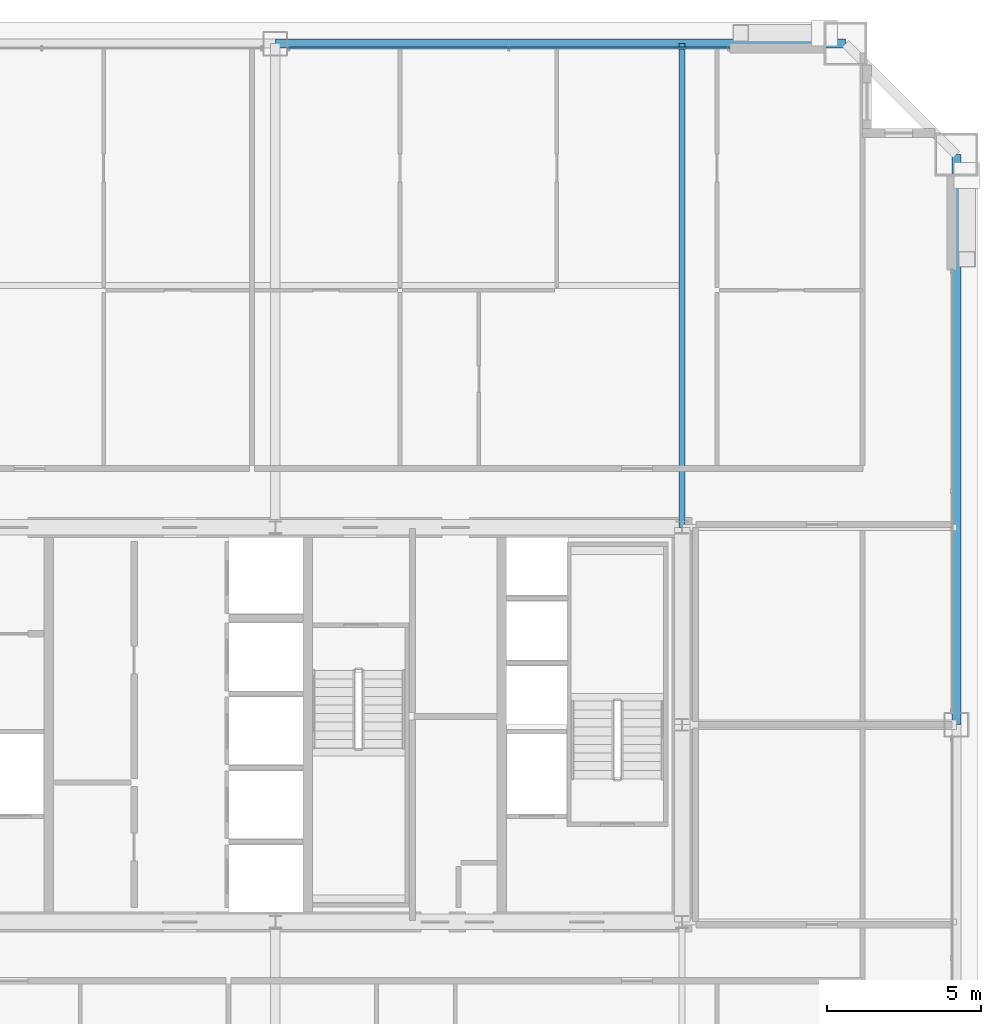
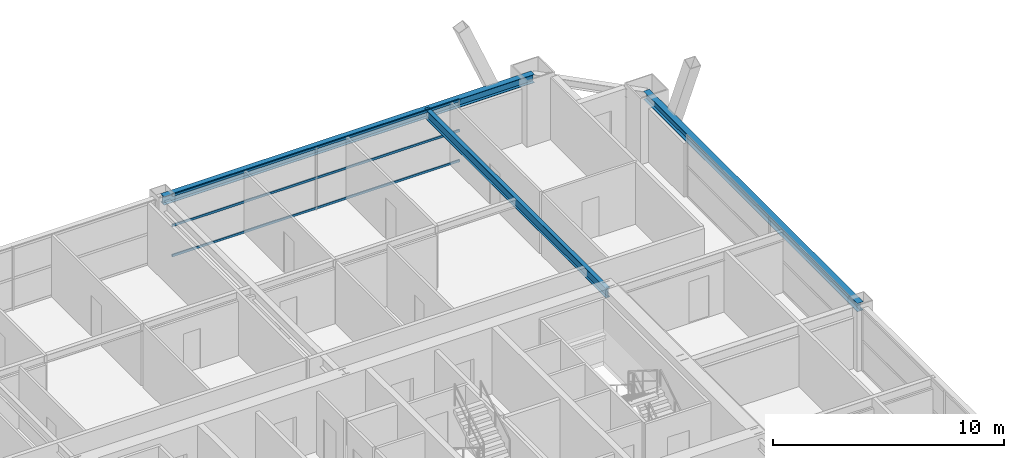
# One storey, part 37 of 45: 3 beams, 3 members, 1 element without a shape of its own.
"""IFC4 building model written with IfcOpenShell, lengths in metres."""

from ifc_helpers import new_model, si_unit, direction, frame, origin, origin_2d, place, context, subcontext, project, spatial, hollow_rectangle, i_section, extrude, source, transform, mapped, material, layer, layer_set, material_profile, profile_set, type_object, element, aggregate, save


model = new_model("IFC4")

# Units and contexts
model_context = context("Model", 3, precision=1e-05, world=origin(), true_north=direction((0.0, 1.0)))
body_context = subcontext(model_context, "Body", "Model", "MODEL_VIEW")
ifc_project = project(units=[si_unit("LENGTHUNIT", "METRE"), si_unit("AREAUNIT", "SQUARE_METRE"), si_unit("VOLUMEUNIT", "CUBIC_METRE"), si_unit("PLANEANGLEUNIT", "RADIAN"), si_unit("MASSUNIT", "GRAM", prefix="KILO"), si_unit("THERMODYNAMICTEMPERATUREUNIT", "KELVIN"), si_unit("POWERUNIT", "WATT")], contexts=[model_context])

# Site, building, storey
site_placement = place(None, origin())
site = spatial("IfcSite", under=ifc_project, at=site_placement, CompositionType="ELEMENT")
building_placement = place(site_placement, origin())
building = spatial("IfcBuilding", under=site, at=building_placement, Name="Yuzanri Waterfront Tower", CompositionType="ELEMENT")
storey_placement = place(building_placement, frame((0.0, 0.0, 212.5)))
storey = spatial("IfcBuildingStorey", under=building, at=storey_placement, Name="L56", CompositionType="ELEMENT", Elevation=212.5)

# Beams
ifc_material_1 = material(Name="Steel Q355B", Category="steel")
ifc_material_profile_1 = material_profile(ifc_material_1, i_section(OverallWidth=0.300048828125, OverallDepth=0.43994140625, WebThickness=0.010986328125, FlangeThickness=0.01806640625, at=origin_2d()), Name="HM 440x300x11x18")
ifc_profile_set_1 = profile_set([ifc_material_profile_1], Name="Steel Q355B")
beam_type_1 = type_object("IfcBeamType", Name="Perimeter Spandrel Q355B HM 440x300", PredefinedType="SPANDREL", material=ifc_profile_set_1)
shared_shape_1 = source(origin(), body_context, "Body", "SweptSolid", [
    extrude(i_section(OverallWidth=0.300048828125, OverallDepth=0.43994140625, WebThickness=0.010986328125, FlangeThickness=0.01806640625, at=origin_2d()), origin(), (0.0, 0.0, 1.0), 18.5),
])
for number, where, z_axis, x_axis, name in (
    (1, (59.10009765625, 25.800048828125, 3.06005859375), (0.0, 1.0, 0.0), (-1.0, 0.0, 0.0), "L56 Perimeter Spandrel E2-E3"),
    (2, (55.5, 47.89990234375, 3.06005859375), (-1.0, 0.0, 0.0), (0.0, -1.0, 0.0), "L56 Perimeter Spandrel N3-N2"),
):
    element("IfcBeam", number, at=place(storey_placement, frame(where, z_axis=z_axis, x_axis=x_axis)), inside=storey, type_object=beam_type_1, Name=name, PredefinedType="SPANDREL", context=body_context, shape_type="MappedRepresentation", body=[
        mapped(shared_shape_1, transform((0.0, 0.0, 0.0), scale=1.0)),
    ])
ifc_material_2 = material(Name="Steel Q355B", Category="steel")
ifc_material_profile_2 = material_profile(ifc_material_2, i_section(OverallWidth=0.199951171875, OverallDepth=0.5, WebThickness=0.010009765625, FlangeThickness=0.01611328125, at=origin_2d()), Name="HN 500x200x10x16")
ifc_profile_set_2 = profile_set([ifc_material_profile_2], Name="Steel Q355B")
beam_type_2 = type_object("IfcBeamType", Name="Secondary Floor Beam Q355B HN 500x200", PredefinedType="BEAM", material=ifc_profile_set_2)
shared_shape_2 = source(origin(), body_context, "Body", "SweptSolid", [
    extrude(i_section(OverallWidth=0.199951171875, OverallDepth=0.5, WebThickness=0.010009765625, FlangeThickness=0.01611328125, at=origin_2d()), origin(), (0.0, 0.0, 1.0), 15.699951171875),
])
beam_placement = place(storey_placement, frame((50.199951171875, 32.199951171875, 3.030029296875), z_axis=(0.0, 1.0, 0.0), x_axis=(-1.0, 0.0, 0.0)))
element("IfcBeam", 3, at=beam_placement, inside=storey, type_object=beam_type_2, Name="L56 North-East Core Line Beam", PredefinedType="BEAM", context=body_context, shape_type="MappedRepresentation", body=[
    mapped(shared_shape_2, transform((0.0, 0.0, 0.0), scale=1.0)),
])

# Curtain wall, members
ifc_material_3 = material(Name="Anodized Architectural Bronze", Category="metal")
ifc_layer = layer(ifc_material_3, 0.159912109375)
ifc_layer_set = layer_set([ifc_layer], Name="Anodized Architectural Bronze")
curtain_wall_type = type_object("IfcCurtainWallType", Name="Anodized Bronze Mid-Rise Residential Acoustic Unitized Curtain Wall 7200", PredefinedType="NOTDEFINED", material=ifc_layer_set)
curtain_wall_placement = place(storey_placement, origin())
curtain_wall = element("IfcCurtainWall", 4, at=curtain_wall_placement, inside=storey, type_object=curtain_wall_type, Name="L56 Curtain Wall CW-L56-NR", PredefinedType="NOTDEFINED")
ifc_material_4 = material(Name="Anodized Architectural Bronze", Category="metal")
ifc_material_profile_3 = material_profile(ifc_material_4, hollow_rectangle(XDim=0.06494140625, YDim=0.1201171875, WallThickness=0.00341796875, at=origin_2d()), Name="CWT 65x120")
ifc_profile_set_3 = profile_set([ifc_material_profile_3], Name="Anodized Architectural Bronze")
member_type = type_object("IfcMemberType", Name="Anodized Bronze Secondary Curtain-Wall Transom 65x120", PredefinedType="USERDEFINED", material=ifc_profile_set_3)
shared_shape_3 = source(origin(), body_context, "Body", "SweptSolid", [
    extrude(hollow_rectangle(XDim=0.06494140625, YDim=0.1201171875, WallThickness=0.00341796875, at=origin_2d()), origin(), (0.0, 0.0, 1.0), 14.35009765625),
])
member_1_placement = place(storey_placement, frame((37.39990234375, 47.75, 0.050048828125), z_axis=(1.0, 0.0, 0.0), x_axis=(0.0, 1.0, 0.0)))
member_1 = element("IfcMember", 5, at=member_1_placement, type_object=member_type, Name="CW-L56-NR Transom 1", ObjectType="TRANSOM", PredefinedType="USERDEFINED", context=body_context, shape_type="MappedRepresentation", body=[
    mapped(shared_shape_3, transform((0.0, 0.0, 0.0), scale=1.0)),
])
member_2_placement = place(storey_placement, frame((37.39990234375, 47.75, 1.639892578125), z_axis=(1.0, 0.0, 0.0), x_axis=(0.0, 1.0, 0.0)))
member_2 = element("IfcMember", 6, at=member_2_placement, type_object=member_type, Name="CW-L56-NR Transom 2", ObjectType="TRANSOM", PredefinedType="USERDEFINED", context=body_context, shape_type="MappedRepresentation", body=[
    mapped(shared_shape_3, transform((0.0, 0.0, 0.0), scale=1.0)),
])
member_3_placement = place(storey_placement, frame((37.39990234375, 47.75, 3.22998046875), z_axis=(1.0, 0.0, 0.0), x_axis=(0.0, 1.0, 0.0)))
member_3 = element("IfcMember", 7, at=member_3_placement, type_object=member_type, Name="CW-L56-NR Transom 3", ObjectType="TRANSOM", PredefinedType="USERDEFINED", context=body_context, shape_type="MappedRepresentation", body=[
    mapped(shared_shape_3, transform((0.0, 0.0, 0.0), scale=1.0)),
])
aggregate(curtain_wall, [member_1, member_2, member_3])

save(model, "model.ifc")
